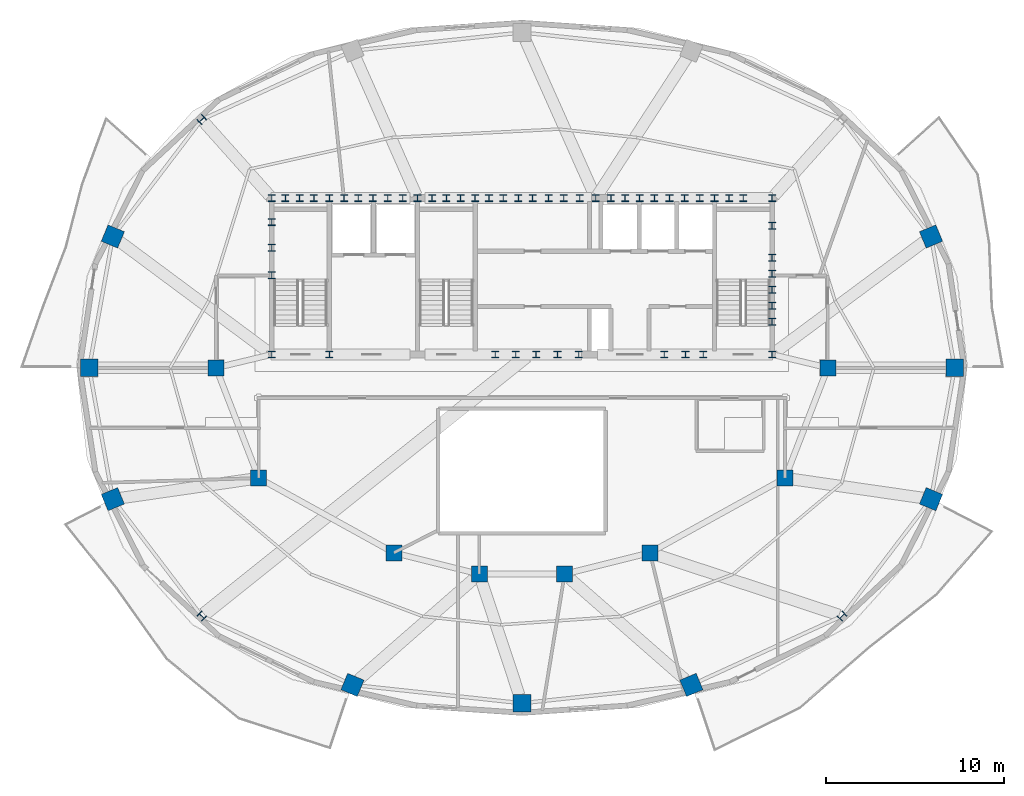
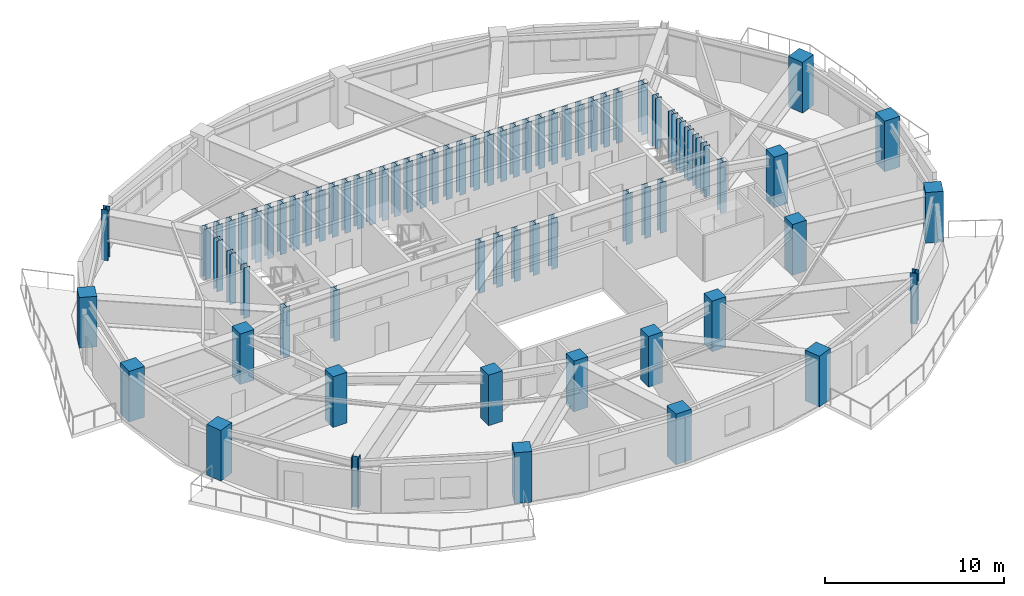
# One storey, part 1 of 10: 74 columns.
"""IFC4 building model written with IfcOpenShell, lengths in metres."""

from ifc_helpers import new_model, si_unit, direction, frame, origin, origin_2d, place, context, subcontext, project, spatial, rectangle, i_section, extrude, material, material_profile, profile_set, type_object, element, save


model = new_model("IFC4")

# Units and contexts
model_context = context("Model", 3, precision=1e-05, world=origin(), true_north=direction((0.0, 1.0)))
body_context = subcontext(model_context, "Body", "Model", "MODEL_VIEW")
ifc_project = project(units=[si_unit("LENGTHUNIT", "METRE"), si_unit("AREAUNIT", "SQUARE_METRE"), si_unit("VOLUMEUNIT", "CUBIC_METRE"), si_unit("PLANEANGLEUNIT", "RADIAN"), si_unit("MASSUNIT", "GRAM", prefix="KILO")], contexts=[model_context])

# Site, building, storey
site_placement = place(None, origin())
site = spatial("IfcSite", under=ifc_project, at=site_placement, CompositionType="ELEMENT")
building_placement = place(site_placement, origin())
building = spatial("IfcBuilding", under=site, at=building_placement, Name="Haldorwick Loom Tower", CompositionType="ELEMENT")
storey_placement = place(building_placement, frame((0.0, 0.0, 269.550048828125)))
storey = spatial("IfcBuildingStorey", under=building, at=storey_placement, Name="L73", CompositionType="ELEMENT", Elevation=269.550048828125)

# Columns
ifc_material_1 = material(Name="Concrete C60 (60 MPa)", Category="concrete")
ifc_material_profile_1 = material_profile(ifc_material_1, rectangle(XDim=1.0, YDim=1.0, at=origin_2d()), Name="RC1000X1000", Category="concrete")
ifc_profile_set_1 = profile_set([ifc_material_profile_1], Name="Concrete C60 (60 MPa)")
column_type_1 = type_object("IfcColumnType", Name="STR-COL-RC1000", PredefinedType="COLUMN", material=ifc_profile_set_1)
for number, where, z_axis, x_axis, name in (
    (1, (60.3369140625, 26.0, 0.0), (0.0, 0.0, 1.0), (1.0, 0.0, 0.0), "L73 Perimeter Pier Column P01"),
    (2, (59.004638671875, 33.3857421875, 0.0), (0.0, 0.0, 1.0), (0.923879532511, 0.382683432365, 0.0), "L73 Perimeter Pier Column P02"),
    (3, (12.995361328125, 33.3857421875, 0.0), (0.0, 0.0, 1.0), (-0.923879532511, 0.382683432365, 0.0), "L73 Perimeter Pier Column P08"),
    (4, (11.6630859375, 26.0, 0.0), (0.0, 0.0, 1.0), (-1.0, 0.0, 0.0), "L73 Perimeter Pier Column P09"),
    (5, (12.995361328125, 18.6142578125, 0.0), (0.0, 0.0, 1.0), (-0.923879532511, -0.382683432365, 0.0), "L73 Perimeter Pier Column P10"),
    (6, (26.47119140625, 8.169189453125, 0.0), (0.0, 0.0, 1.0), (-0.382683432365, -0.923879532511, 0.0), "L73 Perimeter Pier Column P12"),
    (7, (36.0, 7.139892578125, 0.0), (0.0, 0.0, 1.0), (0.0, -1.0, 0.0), "L73 Perimeter Pier Column P13"),
    (8, (45.52880859375, 8.169189453125, 0.0), (0.0, 0.0, 1.0), (0.382683432365, -0.923879532511, 0.0), "L73 Perimeter Pier Column P14"),
    (9, (59.004638671875, 18.6142578125, 0.0), (0.0, 0.0, 1.0), (0.923879532511, -0.382683432365, 0.0), "L73 Perimeter Pier Column P16"),
):
    element("IfcColumn", number, at=place(storey_placement, frame(where, z_axis=z_axis, x_axis=x_axis)), inside=storey, type_object=column_type_1, Name=name, PredefinedType="COLUMN", context=body_context, shape_type="SweptSolid", body=[
        extrude(rectangle(XDim=1.0, YDim=1.0, at=origin_2d()), origin(), (0.0, 0.0, 1.0), 3.449951171875),
    ])
ifc_material_2 = material(Name="Concrete C50 (50 MPa)", Category="concrete")
ifc_material_profile_2 = material_profile(ifc_material_2, rectangle(XDim=0.89990234375, YDim=0.89990234375, at=origin_2d()), Name="RC900X900", Category="concrete")
ifc_profile_set_2 = profile_set([ifc_material_profile_2], Name="Concrete C50 (50 MPa)")
column_type_2 = type_object("IfcColumnType", Name="STR-COL-RC900", PredefinedType="COLUMN", material=ifc_profile_set_2)
for number, where, z_axis, x_axis, name in (
    (10, (53.199951171875, 26.0, 0.0), (0.0, 0.0, 1.0), (1.0, 0.0, 0.0), "L73 Inner Column IC-01"),
    (11, (50.800048828125, 19.800048828125, 0.0), (0.0, 0.0, 1.0), (1.0, 0.0, 0.0), "L73 Inner Column IC-02"),
    (12, (43.199951171875, 15.60009765625, 0.0), (0.0, 0.0, 1.0), (1.0, 0.0, 0.0), "L73 Inner Column IC-03"),
    (13, (38.39990234375, 14.39990234375, 0.0), (0.0, 0.0, 1.0), (1.0, 0.0, 0.0), "L73 Inner Column IC-04"),
    (14, (33.60009765625, 14.39990234375, 0.0), (0.0, 0.0, 1.0), (1.0, 0.0, 0.0), "L73 Inner Column IC-05"),
    (15, (28.800048828125, 15.60009765625, 0.0), (0.0, 0.0, 1.0), (1.0, 0.0, 0.0), "L73 Inner Column IC-06"),
    (16, (21.199951171875, 19.800048828125, 0.0), (0.0, 0.0, 1.0), (1.0, 0.0, 0.0), "L73 Inner Column IC-07"),
    (17, (18.800048828125, 26.0, 0.0), (0.0, 0.0, 1.0), (1.0, 0.0, 0.0), "L73 Inner Column IC-08"),
):
    element("IfcColumn", number, at=place(storey_placement, frame(where, z_axis=z_axis, x_axis=x_axis)), inside=storey, type_object=column_type_2, Name=name, PredefinedType="COLUMN", context=body_context, shape_type="SweptSolid", body=[
        extrude(rectangle(XDim=0.89990234375, YDim=0.89990234375, at=origin_2d()), origin(), (0.0, 0.0, 1.0), 3.449951171875),
    ])
ifc_material_3 = material(Name="Steel CSA G40.21 350W", Category="steel")
ifc_material_profile_3 = material_profile(ifc_material_3, i_section(OverallWidth=0.39892578125, OverallDepth=0.39306640625, WebThickness=0.0185546875, FlangeThickness=0.029541015625, at=origin_2d()), Name="W360X287", Category="steel")
ifc_profile_set_3 = profile_set([ifc_material_profile_3], Name="Steel CSA G40.21 350W")
column_type_3 = type_object("IfcColumnType", Name="STR-COL-W360X287", PredefinedType="COLUMN", material=ifc_profile_set_3)
for number, where, z_axis, x_axis, name in (
    (18, (21.929931640625, 35.550048828125, 0.0), (0.0, 0.0, 1.0), (1.0, 0.0, 0.0), "L73 Core Pilaster CB-01"),
    (19, (23.5, 35.550048828125, 0.0), (0.0, 0.0, 1.0), (1.0, 0.0, 0.0), "L73 Core Pilaster CB-02"),
    (20, (25.169921875, 35.550048828125, 0.0), (0.0, 0.0, 1.0), (1.0, 0.0, 0.0), "L73 Core Pilaster CB-03"),
    (21, (26.800048828125, 35.550048828125, 0.0), (0.0, 0.0, 1.0), (1.0, 0.0, 0.0), "L73 Core Pilaster CB-04"),
    (22, (28.449951171875, 35.550048828125, 0.0), (0.0, 0.0, 1.0), (1.0, 0.0, 0.0), "L73 Core Pilaster CB-05"),
    (23, (30.1298828125, 35.550048828125, 0.0), (0.0, 0.0, 1.0), (1.0, 0.0, 0.0), "L73 Core Pilaster CB-06"),
    (24, (31.75, 35.550048828125, 0.0), (0.0, 0.0, 1.0), (1.0, 0.0, 0.0), "L73 Core Pilaster CB-07"),
    (25, (33.3701171875, 35.550048828125, 0.0), (0.0, 0.0, 1.0), (1.0, 0.0, 0.0), "L73 Core Pilaster CB-08"),
    (26, (34.949951171875, 35.550048828125, 0.0), (0.0, 0.0, 1.0), (1.0, 0.0, 0.0), "L73 Core Pilaster CB-09"),
    (27, (36.60009765625, 35.550048828125, 0.0), (0.0, 0.0, 1.0), (1.0, 0.0, 0.0), "L73 Core Pilaster CB-10"),
    (28, (38.35009765625, 35.550048828125, 0.0), (0.0, 0.0, 1.0), (1.0, 0.0, 0.0), "L73 Core Pilaster CB-11"),
    (29, (40.14990234375, 35.550048828125, 0.0), (0.0, 0.0, 1.0), (1.0, 0.0, 0.0), "L73 Core Pilaster CB-12"),
    (30, (41.800048828125, 35.550048828125, 0.0), (0.0, 0.0, 1.0), (1.0, 0.0, 0.0), "L73 Core Pilaster CB-13"),
    (31, (43.449951171875, 35.550048828125, 0.0), (0.0, 0.0, 1.0), (1.0, 0.0, 0.0), "L73 Core Pilaster CB-14"),
    (32, (45.14990234375, 35.550048828125, 0.0), (0.0, 0.0, 1.0), (1.0, 0.0, 0.0), "L73 Core Pilaster CB-15"),
    (33, (46.830078125, 35.550048828125, 0.0), (0.0, 0.0, 1.0), (1.0, 0.0, 0.0), "L73 Core Pilaster CB-16"),
    (34, (48.449951171875, 35.550048828125, 0.0), (0.0, 0.0, 1.0), (1.0, 0.0, 0.0), "L73 Core Pilaster CB-17"),
    (35, (50.070068359375, 35.550048828125, 0.0), (0.0, 0.0, 1.0), (1.0, 0.0, 0.0), "L73 Core Pilaster CB-18"),
    (36, (21.929931640625, 26.75, 0.0), (0.0, 0.0, 1.0), (1.0, 0.0, 0.0), "L73 Core Pilaster CB-19"),
    (37, (25.169921875, 26.75, 0.0), (0.0, 0.0, 1.0), (1.0, 0.0, 0.0), "L73 Core Pilaster CB-20"),
    (38, (34.5, 26.75, 0.0), (0.0, 0.0, 1.0), (1.0, 0.0, 0.0), "L73 Core Pilaster CB-21"),
    (39, (36.800048828125, 26.75, 0.0), (0.0, 0.0, 1.0), (1.0, 0.0, 0.0), "L73 Core Pilaster CB-22"),
    (40, (39.199951171875, 26.75, 0.0), (0.0, 0.0, 1.0), (1.0, 0.0, 0.0), "L73 Core Pilaster CB-23"),
    (41, (45.199951171875, 26.75, 0.0), (0.0, 0.0, 1.0), (1.0, 0.0, 0.0), "L73 Core Pilaster CB-24"),
    (42, (50.070068359375, 26.75, 0.0), (0.0, 0.0, 1.0), (1.0, 0.0, 0.0), "L73 Core Pilaster CB-25"),
    (43, (21.929931640625, 31.199951171875, 0.0), (0.0, 0.0, 1.0), (1.0, 0.0, 0.0), "L73 Core Pilaster CB-26"),
    (44, (21.929931640625, 32.75, 0.0), (0.0, 0.0, 1.0), (1.0, 0.0, 0.0), "L73 Core Pilaster CB-27"),
    (45, (21.929931640625, 34.199951171875, 0.0), (0.0, 0.0, 1.0), (1.0, 0.0, 0.0), "L73 Core Pilaster CB-28"),
    (46, (50.070068359375, 28.60009765625, 0.0), (0.0, 0.0, 1.0), (1.0, 0.0, 0.0), "L73 Core Pilaster CB-29"),
    (47, (50.070068359375, 30.39990234375, 0.0), (0.0, 0.0, 1.0), (1.0, 0.0, 0.0), "L73 Core Pilaster CB-30"),
    (48, (50.070068359375, 32.199951171875, 0.0), (0.0, 0.0, 1.0), (1.0, 0.0, 0.0), "L73 Core Pilaster CB-31"),
    (49, (50.070068359375, 34.0, 0.0), (0.0, 0.0, 1.0), (1.0, 0.0, 0.0), "L73 Core Pilaster CB-32"),
    (50, (22.699951171875, 35.550048828125, 0.0), (0.0, 0.0, 1.0), (1.0, 0.0, 0.0), "L73 Core Pilaster CB-33"),
    (51, (27.6201171875, 35.550048828125, 0.0), (0.0, 0.0, 1.0), (1.0, 0.0, 0.0), "L73 Core Pilaster CB-34"),
    (52, (32.550048828125, 35.550048828125, 0.0), (0.0, 0.0, 1.0), (1.0, 0.0, 0.0), "L73 Core Pilaster CB-35"),
    (53, (37.5, 35.550048828125, 0.0), (0.0, 0.0, 1.0), (1.0, 0.0, 0.0), "L73 Core Pilaster CB-36"),
    (54, (42.6201171875, 35.550048828125, 0.0), (0.0, 0.0, 1.0), (1.0, 0.0, 0.0), "L73 Core Pilaster CB-37"),
    (55, (47.64990234375, 35.550048828125, 0.0), (0.0, 0.0, 1.0), (1.0, 0.0, 0.0), "L73 Core Pilaster CB-38"),
    (56, (24.300048828125, 35.550048828125, 0.0), (0.0, 0.0, 1.0), (1.0, 0.0, 0.0), "L73 Core Pilaster CB-39"),
    (57, (26.0, 35.550048828125, 0.0), (0.0, 0.0, 1.0), (1.0, 0.0, 0.0), "L73 Core Pilaster CB-40"),
    (58, (29.300048828125, 35.550048828125, 0.0), (0.0, 0.0, 1.0), (1.0, 0.0, 0.0), "L73 Core Pilaster CB-41"),
    (59, (30.949951171875, 35.550048828125, 0.0), (0.0, 0.0, 1.0), (1.0, 0.0, 0.0), "L73 Core Pilaster CB-42"),
    (60, (34.14990234375, 35.550048828125, 0.0), (0.0, 0.0, 1.0), (1.0, 0.0, 0.0), "L73 Core Pilaster CB-43"),
    (61, (35.800048828125, 35.550048828125, 0.0), (0.0, 0.0, 1.0), (1.0, 0.0, 0.0), "L73 Core Pilaster CB-44"),
    (62, (39.25, 35.550048828125, 0.0), (0.0, 0.0, 1.0), (1.0, 0.0, 0.0), "L73 Core Pilaster CB-45"),
    (63, (41.0, 35.550048828125, 0.0), (0.0, 0.0, 1.0), (1.0, 0.0, 0.0), "L73 Core Pilaster CB-46"),
    (64, (44.300048828125, 35.550048828125, 0.0), (0.0, 0.0, 1.0), (1.0, 0.0, 0.0), "L73 Core Pilaster CB-47"),
    (65, (46.0, 35.550048828125, 0.0), (0.0, 0.0, 1.0), (1.0, 0.0, 0.0), "L73 Core Pilaster CB-48"),
    (66, (50.070068359375, 29.5, 0.0), (0.0, 0.0, 1.0), (1.0, 0.0, 0.0), "L73 Core Pilaster CB-49"),
    (67, (50.070068359375, 31.300048828125, 0.0), (0.0, 0.0, 1.0), (1.0, 0.0, 0.0), "L73 Core Pilaster CB-50"),
    (68, (35.64990234375, 26.75, 0.0), (0.0, 0.0, 1.0), (1.0, 0.0, 0.0), "L73 Core Pilaster CB-51"),
    (69, (38.0, 26.75, 0.0), (0.0, 0.0, 1.0), (1.0, 0.0, 0.0), "L73 Core Pilaster CB-52"),
    (70, (44.0, 26.75, 0.0), (0.0, 0.0, 1.0), (1.0, 0.0, 0.0), "L73 Core Pilaster CB-53"),
    (71, (46.199951171875, 26.75, 0.0), (0.0, 0.0, 1.0), (1.0, 0.0, 0.0), "L73 Core Pilaster CB-54"),
):
    element("IfcColumn", number, at=place(storey_placement, frame(where, z_axis=z_axis, x_axis=x_axis)), inside=storey, type_object=column_type_3, Name=name, PredefinedType="COLUMN", context=body_context, shape_type="SweptSolid", body=[
        extrude(i_section(OverallWidth=0.39892578125, OverallDepth=0.39306640625, WebThickness=0.0185546875, FlangeThickness=0.029541015625, at=origin_2d()), origin(), (0.0, 0.0, 1.0), 3.449951171875),
    ])
ifc_material_profile_4 = material_profile(ifc_material_3, i_section(OverallWidth=0.406005859375, OverallDepth=0.416015625, WebThickness=0.024169921875, FlangeThickness=0.03857421875, at=origin_2d()), Name="W360X382", Category="steel")
ifc_profile_set_4 = profile_set([ifc_material_profile_4], Name="Steel CSA G40.21 350W")
column_type_4 = type_object("IfcColumnType", Name="STR-COL-W360X382", PredefinedType="COLUMN", material=ifc_profile_set_4)
for number, where, z_axis, x_axis, name in (
    (72, (17.994873046875, 39.958251953125, 0.0), (0.0, 0.0, 1.0), (-0.707106781187, 0.707106781187, 0.0), "L73 Perimeter Pier Column P07"),
    (73, (17.994873046875, 12.041748046875, 0.0), (0.0, 0.0, 1.0), (-0.707106781187, -0.707106781187, 0.0), "L73 Perimeter Pier Column P11"),
    (74, (54.005126953125, 12.041748046875, 0.0), (0.0, 0.0, 1.0), (0.707106781187, -0.707106781187, 0.0), "L73 Perimeter Pier Column P15"),
):
    element("IfcColumn", number, at=place(storey_placement, frame(where, z_axis=z_axis, x_axis=x_axis)), inside=storey, type_object=column_type_4, Name=name, PredefinedType="COLUMN", context=body_context, shape_type="SweptSolid", body=[
        extrude(i_section(OverallWidth=0.406005859375, OverallDepth=0.416015625, WebThickness=0.024169921875, FlangeThickness=0.03857421875, at=origin_2d()), origin(), (0.0, 0.0, 1.0), 3.449951171875),
    ])

save(model, "model.ifc")
